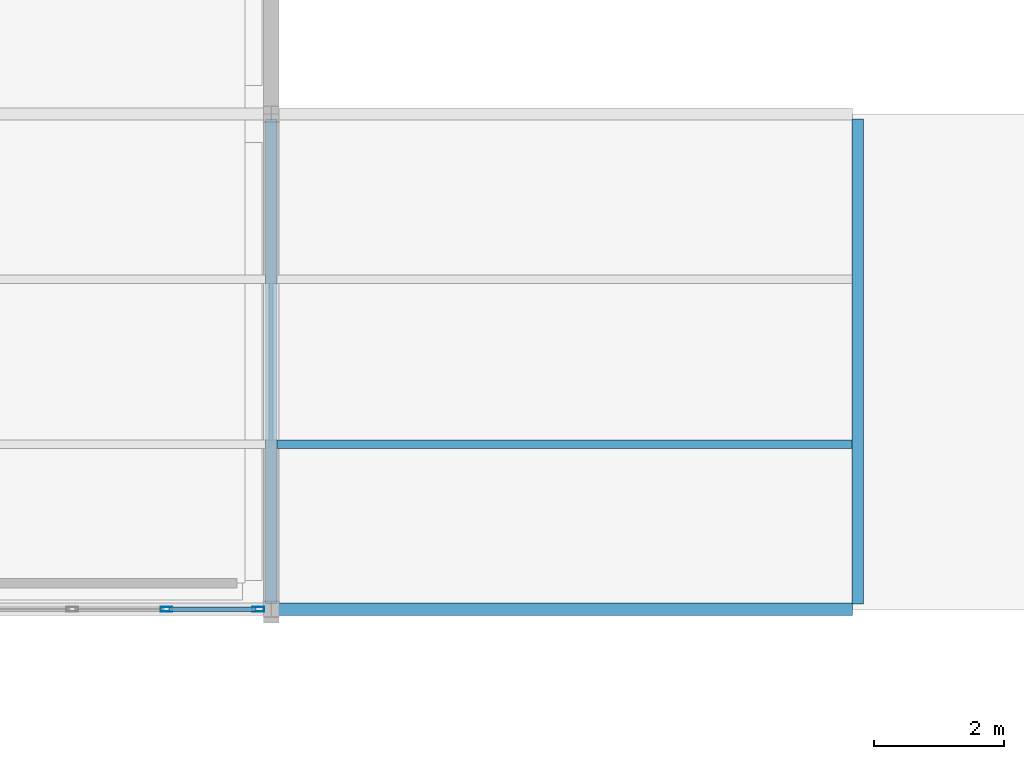
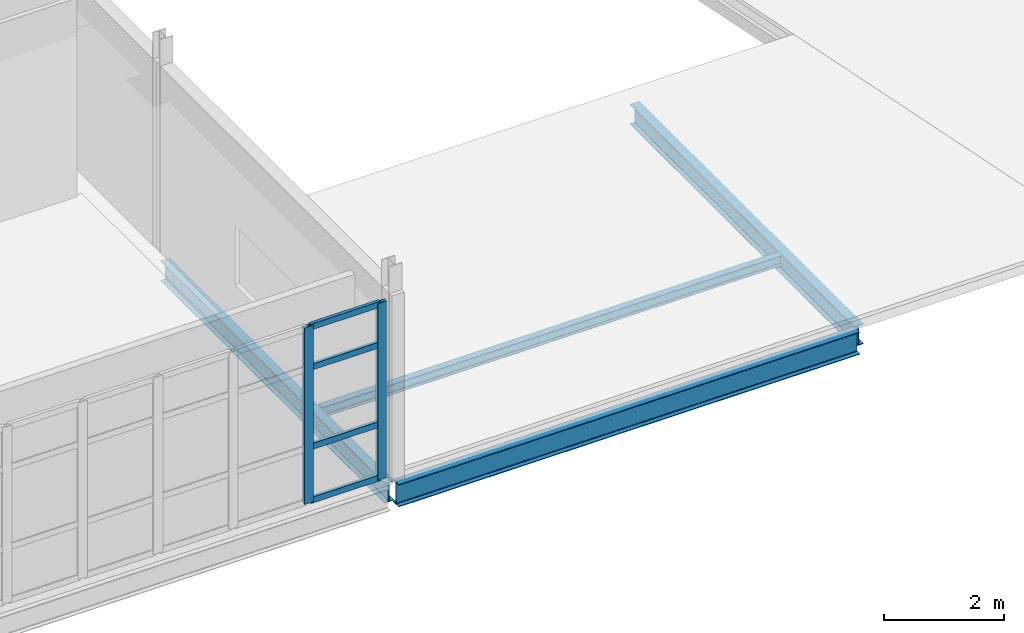
# One storey, part 42 of 96: 6 members, 4 beams, 1 element without a shape of its own.
"""IFC4 building model written with IfcOpenShell, lengths in metres."""

from ifc_helpers import new_model, si_unit, direction, frame, origin, origin_2d, place, context, subcontext, project, spatial, hollow_rectangle, i_section, extrude, material, material_profile, profile_set, type_object, element, aggregate, save


model = new_model("IFC4")

# Units and contexts
model_context = context("Model", 3, precision=1e-05, world=origin(), true_north=direction((0.0, 1.0)))
body_context = subcontext(model_context, "Body", "Model", "MODEL_VIEW")
ifc_project = project(units=[si_unit("LENGTHUNIT", "METRE"), si_unit("AREAUNIT", "SQUARE_METRE"), si_unit("VOLUMEUNIT", "CUBIC_METRE"), si_unit("PLANEANGLEUNIT", "RADIAN"), si_unit("MASSUNIT", "GRAM", prefix="KILO")], contexts=[model_context])

# Site, building, storey
site_placement = place(None, origin())
site = spatial("IfcSite", under=ifc_project, at=site_placement, CompositionType="ELEMENT")
building_placement = place(site_placement, origin())
building = spatial("IfcBuilding", under=site, at=building_placement, Name="Caisbarro Railhouse Central Library", CompositionType="ELEMENT")
storey_placement = place(building_placement, frame((0.0, 0.0, 13.679931640625)))
storey = spatial("IfcBuildingStorey", under=building, at=storey_placement, Name="L03", CompositionType="ELEMENT", Elevation=13.679931640625)

# Beams
ifc_material_1 = material(Name="Steel ASTM A572 Grade 50", Category="steel")
ifc_material_profile_1 = material_profile(ifc_material_1, i_section(OverallWidth=0.177978515625, OverallDepth=0.406982421875, WebThickness=0.0078125, FlangeThickness=0.0126953125, FilletRadius=0.01611328125, at=origin_2d()), Name="W410X60.0")
ifc_profile_set_1 = profile_set([ifc_material_profile_1], Name="Steel ASTM A572 Grade 50")
beam_type_1 = type_object("IfcBeamType", Name="BM-G10", PredefinedType="BEAM", material=ifc_profile_set_1)
for number, where, z_axis, x_axis, name in (
    (1, (99.0, 83.679931640625, -0.4033203125), (0.0, 1.0, 0.0), (-1.0, 0.0, 0.0), "G10 beam L03 #1990"),
    (2, (108.0, 83.679931640625, -0.383544921875), (0.0, 1.0, 0.0), (-1.0, 0.0, 0.0), "G10 beam L03 #2335"),
):
    element("IfcBeam", number, at=place(storey_placement, frame(where, z_axis=z_axis, x_axis=x_axis)), inside=storey, type_object=beam_type_1, Name=name, PredefinedType="BEAM", context=body_context, shape_type="SweptSolid", body=[
        extrude(i_section(OverallWidth=0.177978515625, OverallDepth=0.406982421875, WebThickness=0.0078125, FlangeThickness=0.0126953125, FilletRadius=0.01611328125, at=origin_2d()), origin(), (0.0, 0.0, 1.0), 7.440185546875),
    ])
ifc_material_profile_2 = material_profile(ifc_material_1, i_section(OverallWidth=0.133056640625, OverallDepth=0.20703125, WebThickness=0.005859375, FlangeThickness=0.00830078125, FilletRadius=0.010009765625, at=origin_2d()), Name="W200X26.6")
ifc_profile_set_2 = profile_set([ifc_material_profile_2], Name="Steel ASTM A572 Grade 50")
beam_type_2 = type_object("IfcBeamType", Name="BM-J07", PredefinedType="JOIST", material=ifc_profile_set_2)
beam_1_placement = place(storey_placement, frame((99.089111328125, 86.13330078125, -0.283447265625), z_axis=(1.0, 0.0, 0.0), x_axis=(0.0, 1.0, 0.0)))
element("IfcBeam", 3, at=beam_1_placement, inside=storey, type_object=beam_type_2, Name="J07 beam L03 #2336", PredefinedType="JOIST", context=body_context, shape_type="SweptSolid", body=[
    extrude(i_section(OverallWidth=0.133056640625, OverallDepth=0.20703125, WebThickness=0.005859375, FlangeThickness=0.00830078125, FilletRadius=0.010009765625, at=origin_2d()), origin(), (0.0, 0.0, 1.0), 8.82177734375),
])
ifc_material_profile_3 = material_profile(ifc_material_1, i_section(OverallWidth=0.18994140625, OverallDepth=0.45703125, WebThickness=0.009033203125, FlangeThickness=0.014404296875, FilletRadius=0.01806640625, at=origin_2d()), Name="W460X74.0")
ifc_profile_set_3 = profile_set([ifc_material_profile_3], Name="Steel ASTM A572 Grade 50")
beam_type_3 = type_object("IfcBeamType", Name="BM-SP01", PredefinedType="SPANDREL", material=ifc_profile_set_3)
beam_2_placement = place(storey_placement, frame((99.080078125, 83.60009765625, -0.408447265625), z_axis=(1.0, 0.0, 0.0), x_axis=(0.0, 1.0, 0.0)))
element("IfcBeam", 4, at=beam_2_placement, inside=storey, type_object=beam_type_3, Name="SP01 beam L03 #2333", PredefinedType="SPANDREL", context=body_context, shape_type="SweptSolid", body=[
    extrude(i_section(OverallWidth=0.18994140625, OverallDepth=0.45703125, WebThickness=0.009033203125, FlangeThickness=0.014404296875, FilletRadius=0.01806640625, at=origin_2d()), origin(), (0.0, 0.0, 1.0), 8.83984375),
])

# Curtain wall, members
ifc_material_2 = material(Name="Anodised architectural aluminium", Category="aluminium")
curtain_wall_type = type_object("IfcCurtainWallType", Name="CW-CW02", PredefinedType="NOTDEFINED", material=ifc_material_2)
curtain_wall_placement = place(storey_placement, origin())
curtain_wall = element("IfcCurtainWall", 5, at=curtain_wall_placement, inside=storey, type_object=curtain_wall_type, Name="CW02 curtain wall L03 #190", PredefinedType="NOTDEFINED")
ifc_material_profile_4 = material_profile(ifc_material_2, hollow_rectangle(XDim=0.074951171875, YDim=0.179931640625, WallThickness=0.00439453125, at=origin_2d()), Name="ALU-MUL-75X180")
ifc_profile_set_4 = profile_set([ifc_material_profile_4], Name="Anodised architectural aluminium")
member_type_1 = type_object("IfcMemberType", Name="CWM-M01", PredefinedType="MULLION", material=ifc_profile_set_4)
member_1_placement = place(storey_placement, frame((97.393310546875, 83.60009765625, 0.0), z_axis=(0.0, 0.0, 1.0), x_axis=(0.0, 1.0, 0.0)))
member_1 = element("IfcMember", 6, at=member_1_placement, type_object=member_type_1, Name="CW02 mullion 6", PredefinedType="MULLION", context=body_context, shape_type="SweptSolid", body=[
    extrude(hollow_rectangle(XDim=0.074951171875, YDim=0.179931640625, WallThickness=0.00439453125, at=origin_2d()), origin(), (0.0, 0.0, 1.0), 3.580078125),
])
member_2_placement = place(storey_placement, frame((98.802490234375, 83.60009765625, 0.0), z_axis=(0.0, 0.0, 1.0), x_axis=(0.0, 1.0, 0.0)))
member_2 = element("IfcMember", 7, at=member_2_placement, type_object=member_type_1, Name="CW02 mullion 7", PredefinedType="MULLION", context=body_context, shape_type="SweptSolid", body=[
    extrude(hollow_rectangle(XDim=0.074951171875, YDim=0.179931640625, WallThickness=0.00439453125, at=origin_2d()), origin(), (0.0, 0.0, 1.0), 3.580078125),
])
ifc_material_profile_5 = material_profile(ifc_material_2, hollow_rectangle(XDim=0.06494140625, YDim=0.1201171875, WallThickness=0.00341796875, at=origin_2d()), Name="ALU-TRN-65X120")
ifc_profile_set_5 = profile_set([ifc_material_profile_5], Name="Anodised architectural aluminium")
member_type_2 = type_object("IfcMemberType", Name="CWT-T02", PredefinedType="USERDEFINED", material=ifc_profile_set_5)
member_3_placement = place(storey_placement, frame((97.430908203125, 83.60009765625, 0.032470703125), z_axis=(1.0, 0.0, 0.0), x_axis=(0.0, 1.0, 0.0)))
member_3 = element("IfcMember", 8, at=member_3_placement, type_object=member_type_2, Name="CW02 transom 6.1", ObjectType="TRANSOM", PredefinedType="USERDEFINED", context=body_context, shape_type="SweptSolid", body=[
    extrude(hollow_rectangle(XDim=0.06494140625, YDim=0.1201171875, WallThickness=0.00341796875, at=origin_2d()), origin(), (0.0, 0.0, 1.0), 1.333984375),
])
member_4_placement = place(storey_placement, frame((97.430908203125, 83.60009765625, 1.1201171875), z_axis=(1.0, 0.0, 0.0), x_axis=(0.0, 1.0, 0.0)))
member_4 = element("IfcMember", 9, at=member_4_placement, type_object=member_type_2, Name="CW02 transom 6.2", ObjectType="TRANSOM", PredefinedType="USERDEFINED", context=body_context, shape_type="SweptSolid", body=[
    extrude(hollow_rectangle(XDim=0.06494140625, YDim=0.1201171875, WallThickness=0.00341796875, at=origin_2d()), origin(), (0.0, 0.0, 1.0), 1.333984375),
])
member_5_placement = place(storey_placement, frame((97.430908203125, 83.60009765625, 2.72998046875), z_axis=(1.0, 0.0, 0.0), x_axis=(0.0, 1.0, 0.0)))
member_5 = element("IfcMember", 10, at=member_5_placement, type_object=member_type_2, Name="CW02 transom 6.3", ObjectType="TRANSOM", PredefinedType="USERDEFINED", context=body_context, shape_type="SweptSolid", body=[
    extrude(hollow_rectangle(XDim=0.06494140625, YDim=0.1201171875, WallThickness=0.00341796875, at=origin_2d()), origin(), (0.0, 0.0, 1.0), 1.333984375),
])
member_6_placement = place(storey_placement, frame((97.430908203125, 83.60009765625, 3.547607421875), z_axis=(1.0, 0.0, 0.0), x_axis=(0.0, 1.0, 0.0)))
member_6 = element("IfcMember", 11, at=member_6_placement, type_object=member_type_2, Name="CW02 transom 6.4", ObjectType="TRANSOM", PredefinedType="USERDEFINED", context=body_context, shape_type="SweptSolid", body=[
    extrude(hollow_rectangle(XDim=0.06494140625, YDim=0.1201171875, WallThickness=0.00341796875, at=origin_2d()), origin(), (0.0, 0.0, 1.0), 1.333984375),
])
aggregate(curtain_wall, [member_1, member_2, member_3, member_4, member_5, member_6])

save(model, "model.ifc")
